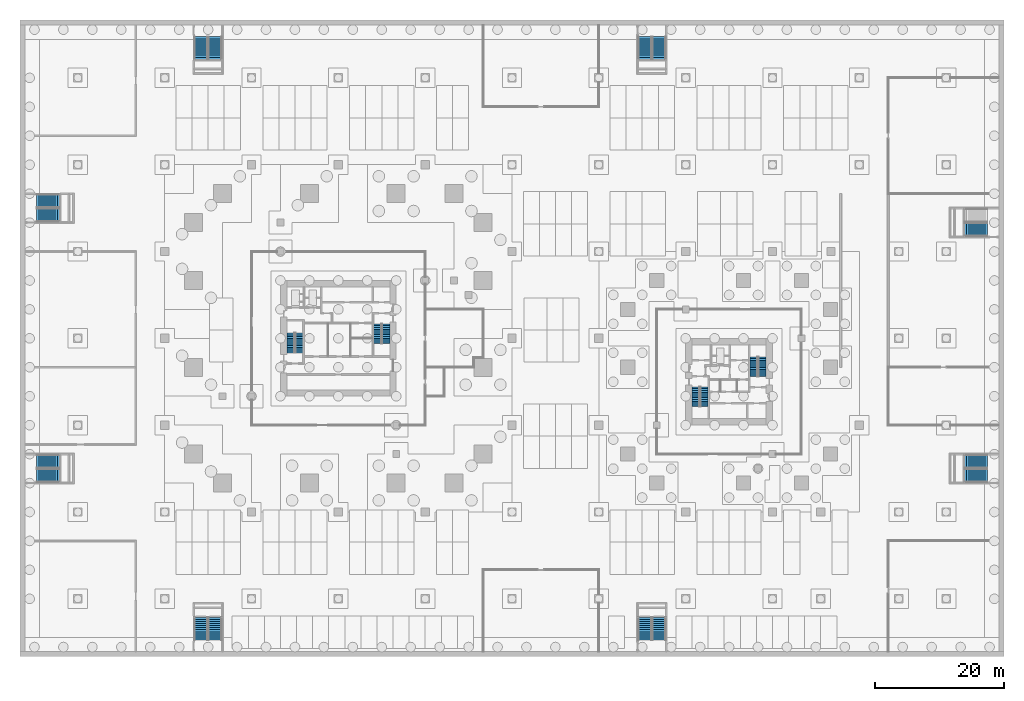
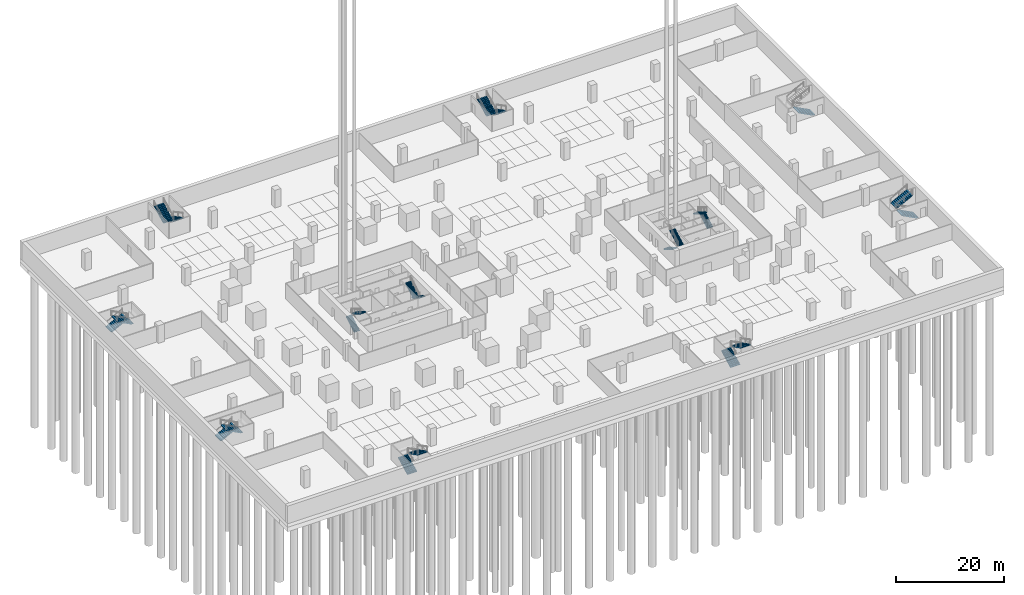
# One storey, part 17 of 40: 23 stair flights, 12 elements without a shape of their own.
"""IFC4 building model written with IfcOpenShell, lengths in metres."""

from ifc_helpers import new_model, si_unit, direction, frame, origin, place, context, subcontext, project, spatial, polyline, outline, extrude, material, type_object, element, aggregate, save


model = new_model("IFC4")

# Units and contexts
model_context = context("Model", 3, precision=1e-05, world=origin(), true_north=direction((0.0, 1.0)))
body_context = subcontext(model_context, "Body", "Model", "MODEL_VIEW")
ifc_project = project(units=[si_unit("LENGTHUNIT", "METRE"), si_unit("AREAUNIT", "SQUARE_METRE"), si_unit("VOLUMEUNIT", "CUBIC_METRE"), si_unit("PLANEANGLEUNIT", "RADIAN"), si_unit("MASSUNIT", "GRAM", prefix="KILO")], contexts=[model_context])

# Site, building, storey
site_placement = place(None, origin())
site = spatial("IfcSite", under=ifc_project, at=site_placement, CompositionType="ELEMENT")
building_placement = place(site_placement, origin())
building = spatial("IfcBuilding", under=site, at=building_placement, Name="Altepetl Exchange Towers", CompositionType="ELEMENT")
storey_placement = place(building_placement, frame((0.0, 0.0, -8.0)))
storey = spatial("IfcBuildingStorey", under=building, at=storey_placement, Name="B2 Basement parking", CompositionType="ELEMENT", Elevation=-8.0)

# Stair, stair flights
ifc_material_1 = material(Name="Concrete C40/50", Category="concrete")
stair_type_1 = type_object("IfcStairType", Name="Exit stair 1200 flights dogleg", PredefinedType="HALF_TURN_STAIR", material=ifc_material_1)
stair_1_placement = place(storey_placement, origin())
stair_1 = element("IfcStair", 1, at=stair_1_placement, inside=storey, type_object=stair_type_1, Name="Exit stair 1", PredefinedType="HALF_TURN_STAIR")
stair_flight_type_1 = type_object("IfcStairFlightType", Name="Stair flight 1200 wide", PredefinedType="STRAIGHT", material=ifc_material_1)
stair_flight_1_placement = place(storey_placement, frame((42.10009765625, 47.25, 0.0), z_axis=(0.0, 0.0, 1.0), x_axis=(0.0, 1.0, 0.0)))
stair_flight_1 = element("IfcStairFlight", 2, at=stair_flight_1_placement, type_object=stair_flight_type_1, Name="ST-A1a flight 1", NumberOfRisers=12, NumberOfTreads=11, PredefinedType="STRAIGHT", RiserHeight=0.166666667, TreadLength=0.28, context=body_context, shape_type="SweptSolid", body=[
    extrude(outline(polyline([(0.0, 0.0), (0.0, 0.166748046875), (0.280029296875, 0.166748046875), (0.280029296875, 0.333251953125), (0.56005859375, 0.333251953125), (0.56005859375, 0.5), (0.840087890625, 0.5), (0.840087890625, 0.666748046875), (1.1201171875, 0.666748046875), (1.1201171875, 0.833251953125), (1.39990234375, 0.833251953125), (1.39990234375, 1.0), (1.679931640625, 1.0), (1.679931640625, 1.166748046875), (1.9599609375, 1.166748046875), (1.9599609375, 1.333251953125), (2.239990234375, 1.333251953125), (2.239990234375, 1.5), (2.52001953125, 1.5), (2.52001953125, 1.666748046875), (2.800048828125, 1.666748046875), (2.800048828125, 1.833251953125), (3.080078125, 1.833251953125), (3.080078125, 2.0), (3.080078125, 1.658935546875), (0.29296875, 0.0), (0.0, 0.0)])), frame((0.0, 0.60009765625, 0.0), z_axis=(0.0, -1.0, 0.0), x_axis=(1.0, 0.0, 0.0)), (0.0, 0.0, 1.0), 1.199951171875),
])
stair_flight_2_placement = place(storey_placement, frame((43.39990234375, 50.330078125, 2.0), z_axis=(0.0, 0.0, 1.0), x_axis=(0.0, -1.0, 0.0)))
stair_flight_2 = element("IfcStairFlight", 3, at=stair_flight_2_placement, type_object=stair_flight_type_1, Name="ST-A1a flight 2", NumberOfRisers=12, NumberOfTreads=11, PredefinedType="STRAIGHT", RiserHeight=0.166666667, TreadLength=0.28, context=body_context, shape_type="SweptSolid", body=[
    extrude(outline(polyline([(0.0, 0.0), (0.0, 0.166748046875), (0.280029296875, 0.166748046875), (0.280029296875, 0.333251953125), (0.56005859375, 0.333251953125), (0.56005859375, 0.5), (0.840087890625, 0.5), (0.840087890625, 0.666748046875), (1.1201171875, 0.666748046875), (1.1201171875, 0.833251953125), (1.39990234375, 0.833251953125), (1.39990234375, 1.0), (1.679931640625, 1.0), (1.679931640625, 1.166748046875), (1.9599609375, 1.166748046875), (1.9599609375, 1.333251953125), (2.239990234375, 1.333251953125), (2.239990234375, 1.5), (2.52001953125, 1.5), (2.52001953125, 1.666748046875), (2.800048828125, 1.666748046875), (2.800048828125, 1.833251953125), (3.080078125, 1.833251953125), (3.080078125, 2.0), (3.080078125, 1.658935546875), (0.29296875, 0.0), (0.0, 0.0)])), frame((0.0, 0.60009765625, 0.0), z_axis=(0.0, -1.0, 0.0), x_axis=(1.0, 0.0, 0.0)), (0.0, 0.0, 1.0), 1.199951171875),
])
aggregate(stair_1, [stair_flight_1, stair_flight_2])

stair_2_placement = place(storey_placement, origin())
stair_2 = element("IfcStair", 4, at=stair_2_placement, inside=storey, type_object=stair_type_1, Name="Exit stair 2", PredefinedType="HALF_TURN_STAIR")
stair_flight_3_placement = place(storey_placement, frame((56.89990234375, 51.75, 0.0), z_axis=(0.0, 0.0, 1.0), x_axis=(0.0, -1.0, 0.0)))
stair_flight_3 = element("IfcStairFlight", 5, at=stair_flight_3_placement, type_object=stair_flight_type_1, Name="ST-A2a flight 1", NumberOfRisers=12, NumberOfTreads=11, PredefinedType="STRAIGHT", RiserHeight=0.166666667, TreadLength=0.28, context=body_context, shape_type="SweptSolid", body=[
    extrude(outline(polyline([(0.0, 0.0), (0.0, 0.166748046875), (0.280029296875, 0.166748046875), (0.280029296875, 0.333251953125), (0.56005859375, 0.333251953125), (0.56005859375, 0.5), (0.840087890625, 0.5), (0.840087890625, 0.666748046875), (1.1201171875, 0.666748046875), (1.1201171875, 0.833251953125), (1.39990234375, 0.833251953125), (1.39990234375, 1.0), (1.679931640625, 1.0), (1.679931640625, 1.166748046875), (1.9599609375, 1.166748046875), (1.9599609375, 1.333251953125), (2.239990234375, 1.333251953125), (2.239990234375, 1.5), (2.52001953125, 1.5), (2.52001953125, 1.666748046875), (2.800048828125, 1.666748046875), (2.800048828125, 1.833251953125), (3.080078125, 1.833251953125), (3.080078125, 2.0), (3.080078125, 1.658935546875), (0.29296875, 0.0), (0.0, 0.0)])), frame((0.0, 0.60009765625, 0.0), z_axis=(0.0, -1.0, 0.0), x_axis=(1.0, 0.0, 0.0)), (0.0, 0.0, 1.0), 1.199951171875),
])
stair_flight_4_placement = place(storey_placement, frame((55.60009765625, 48.669921875, 2.0), z_axis=(0.0, 0.0, 1.0), x_axis=(0.0, 1.0, 0.0)))
stair_flight_4 = element("IfcStairFlight", 6, at=stair_flight_4_placement, type_object=stair_flight_type_1, Name="ST-A2a flight 2", NumberOfRisers=12, NumberOfTreads=11, PredefinedType="STRAIGHT", RiserHeight=0.166666667, TreadLength=0.28, context=body_context, shape_type="SweptSolid", body=[
    extrude(outline(polyline([(0.0, 0.0), (0.0, 0.166748046875), (0.280029296875, 0.166748046875), (0.280029296875, 0.333251953125), (0.56005859375, 0.333251953125), (0.56005859375, 0.5), (0.840087890625, 0.5), (0.840087890625, 0.666748046875), (1.1201171875, 0.666748046875), (1.1201171875, 0.833251953125), (1.39990234375, 0.833251953125), (1.39990234375, 1.0), (1.679931640625, 1.0), (1.679931640625, 1.166748046875), (1.9599609375, 1.166748046875), (1.9599609375, 1.333251953125), (2.239990234375, 1.333251953125), (2.239990234375, 1.5), (2.52001953125, 1.5), (2.52001953125, 1.666748046875), (2.800048828125, 1.666748046875), (2.800048828125, 1.833251953125), (3.080078125, 1.833251953125), (3.080078125, 2.0), (3.080078125, 1.658935546875), (0.29296875, 0.0), (0.0, 0.0)])), frame((0.0, 0.60009765625, 0.0), z_axis=(0.0, -1.0, 0.0), x_axis=(1.0, 0.0, 0.0)), (0.0, 0.0, 1.0), 1.199951171875),
])
aggregate(stair_2, [stair_flight_3, stair_flight_4])

stair_3_placement = place(storey_placement, origin())
stair_3 = element("IfcStair", 7, at=stair_3_placement, inside=storey, type_object=stair_type_1, Name="Exit stair 1", PredefinedType="HALF_TURN_STAIR")
stair_flight_5_placement = place(storey_placement, frame((105.10009765625, 41.949951171875, 0.0), z_axis=(0.0, 0.0, 1.0), x_axis=(0.0, -1.0, 0.0)))
stair_flight_5 = element("IfcStairFlight", 8, at=stair_flight_5_placement, type_object=stair_flight_type_1, Name="ST-B1a flight 1", NumberOfRisers=12, NumberOfTreads=11, PredefinedType="STRAIGHT", RiserHeight=0.166666667, TreadLength=0.28, context=body_context, shape_type="SweptSolid", body=[
    extrude(outline(polyline([(0.0, 0.0), (0.0, 0.166748046875), (0.280029296875, 0.166748046875), (0.280029296875, 0.333251953125), (0.56005859375, 0.333251953125), (0.56005859375, 0.5), (0.840087890625, 0.5), (0.840087890625, 0.666748046875), (1.1201171875, 0.666748046875), (1.1201171875, 0.833251953125), (1.39990234375, 0.833251953125), (1.39990234375, 1.0), (1.679931640625, 1.0), (1.679931640625, 1.166748046875), (1.9599609375, 1.166748046875), (1.9599609375, 1.333251953125), (2.239990234375, 1.333251953125), (2.239990234375, 1.5), (2.52001953125, 1.5), (2.52001953125, 1.666748046875), (2.800048828125, 1.666748046875), (2.800048828125, 1.833251953125), (3.080078125, 1.833251953125), (3.080078125, 2.0), (3.080078125, 1.658935546875), (0.29296875, 0.0), (0.0, 0.0)])), frame((0.0, 0.60009765625, 0.0), z_axis=(0.0, -1.0, 0.0), x_axis=(1.0, 0.0, 0.0)), (0.0, 0.0, 1.0), 1.199951171875),
])
stair_flight_6_placement = place(storey_placement, frame((106.39990234375, 38.8701171875, 2.0), z_axis=(0.0, 0.0, 1.0), x_axis=(0.0, 1.0, 0.0)))
stair_flight_6 = element("IfcStairFlight", 9, at=stair_flight_6_placement, type_object=stair_flight_type_1, Name="ST-B1a flight 2", NumberOfRisers=12, NumberOfTreads=11, PredefinedType="STRAIGHT", RiserHeight=0.166666667, TreadLength=0.28, context=body_context, shape_type="SweptSolid", body=[
    extrude(outline(polyline([(0.0, 0.0), (0.0, 0.166748046875), (0.280029296875, 0.166748046875), (0.280029296875, 0.333251953125), (0.56005859375, 0.333251953125), (0.56005859375, 0.5), (0.840087890625, 0.5), (0.840087890625, 0.666748046875), (1.1201171875, 0.666748046875), (1.1201171875, 0.833251953125), (1.39990234375, 0.833251953125), (1.39990234375, 1.0), (1.679931640625, 1.0), (1.679931640625, 1.166748046875), (1.9599609375, 1.166748046875), (1.9599609375, 1.333251953125), (2.239990234375, 1.333251953125), (2.239990234375, 1.5), (2.52001953125, 1.5), (2.52001953125, 1.666748046875), (2.800048828125, 1.666748046875), (2.800048828125, 1.833251953125), (3.080078125, 1.833251953125), (3.080078125, 2.0), (3.080078125, 1.658935546875), (0.29296875, 0.0), (0.0, 0.0)])), frame((0.0, 0.60009765625, 0.0), z_axis=(0.0, -1.0, 0.0), x_axis=(1.0, 0.0, 0.0)), (0.0, 0.0, 1.0), 1.199951171875),
])
aggregate(stair_3, [stair_flight_5, stair_flight_6])

stair_4_placement = place(storey_placement, origin())
stair_4 = element("IfcStair", 10, at=stair_4_placement, inside=storey, type_object=stair_type_1, Name="Exit stair 2", PredefinedType="HALF_TURN_STAIR")
stair_flight_7_placement = place(storey_placement, frame((115.39990234375, 43.550048828125, 0.0), z_axis=(0.0, 0.0, 1.0), x_axis=(0.0, 1.0, 0.0)))
stair_flight_7 = element("IfcStairFlight", 11, at=stair_flight_7_placement, type_object=stair_flight_type_1, Name="ST-B2a flight 1", NumberOfRisers=12, NumberOfTreads=11, PredefinedType="STRAIGHT", RiserHeight=0.166666667, TreadLength=0.28, context=body_context, shape_type="SweptSolid", body=[
    extrude(outline(polyline([(0.0, 0.0), (0.0, 0.166748046875), (0.280029296875, 0.166748046875), (0.280029296875, 0.333251953125), (0.56005859375, 0.333251953125), (0.56005859375, 0.5), (0.840087890625, 0.5), (0.840087890625, 0.666748046875), (1.1201171875, 0.666748046875), (1.1201171875, 0.833251953125), (1.39990234375, 0.833251953125), (1.39990234375, 1.0), (1.679931640625, 1.0), (1.679931640625, 1.166748046875), (1.9599609375, 1.166748046875), (1.9599609375, 1.333251953125), (2.239990234375, 1.333251953125), (2.239990234375, 1.5), (2.52001953125, 1.5), (2.52001953125, 1.666748046875), (2.800048828125, 1.666748046875), (2.800048828125, 1.833251953125), (3.080078125, 1.833251953125), (3.080078125, 2.0), (3.080078125, 1.658935546875), (0.29296875, 0.0), (0.0, 0.0)])), frame((0.0, 0.60009765625, 0.0), z_axis=(0.0, -1.0, 0.0), x_axis=(1.0, 0.0, 0.0)), (0.0, 0.0, 1.0), 1.199951171875),
])
stair_flight_8_placement = place(storey_placement, frame((114.10009765625, 46.6298828125, 2.0), z_axis=(0.0, 0.0, 1.0), x_axis=(0.0, -1.0, 0.0)))
stair_flight_8 = element("IfcStairFlight", 12, at=stair_flight_8_placement, type_object=stair_flight_type_1, Name="ST-B2a flight 2", NumberOfRisers=12, NumberOfTreads=11, PredefinedType="STRAIGHT", RiserHeight=0.166666667, TreadLength=0.28, context=body_context, shape_type="SweptSolid", body=[
    extrude(outline(polyline([(0.0, 0.0), (0.0, 0.166748046875), (0.280029296875, 0.166748046875), (0.280029296875, 0.333251953125), (0.56005859375, 0.333251953125), (0.56005859375, 0.5), (0.840087890625, 0.5), (0.840087890625, 0.666748046875), (1.1201171875, 0.666748046875), (1.1201171875, 0.833251953125), (1.39990234375, 0.833251953125), (1.39990234375, 1.0), (1.679931640625, 1.0), (1.679931640625, 1.166748046875), (1.9599609375, 1.166748046875), (1.9599609375, 1.333251953125), (2.239990234375, 1.333251953125), (2.239990234375, 1.5), (2.52001953125, 1.5), (2.52001953125, 1.666748046875), (2.800048828125, 1.666748046875), (2.800048828125, 1.833251953125), (3.080078125, 1.833251953125), (3.080078125, 2.0), (3.080078125, 1.658935546875), (0.29296875, 0.0), (0.0, 0.0)])), frame((0.0, 0.60009765625, 0.0), z_axis=(0.0, -1.0, 0.0), x_axis=(1.0, 0.0, 0.0)), (0.0, 0.0, 1.0), 1.199951171875),
])
aggregate(stair_4, [stair_flight_7, stair_flight_8])

ifc_material_2 = material(Name="Reinforced concrete C35/45", Category="concrete")
stair_type_2 = type_object("IfcStairType", Name="Exit half-turn stair 2025", PredefinedType="HALF_TURN_STAIR", material=ifc_material_2)
stair_5_placement = place(storey_placement, origin())
stair_5 = element("IfcStair", 13, at=stair_5_placement, inside=storey, type_object=stair_type_2, Name="ST-P1 stair", PredefinedType="HALF_TURN_STAIR")
stair_flight_type_2 = type_object("IfcStairFlightType", Name="Stair flight 2025", PredefinedType="STRAIGHT", material=ifc_material_2)
stair_flight_9_placement = place(storey_placement, frame((28.16259765625, 2.60009765625, 0.0), z_axis=(0.0, 0.0, 1.0), x_axis=(0.0, 1.0, 0.0)))
stair_flight_9 = element("IfcStairFlight", 14, at=stair_flight_9_placement, type_object=stair_flight_type_2, Name="ST-P1 flight 1", NumberOfRisers=12, NumberOfTreads=11, PredefinedType="STRAIGHT", RiserHeight=0.166667, TreadLength=0.32, context=body_context, shape_type="SweptSolid", body=[
    extrude(outline(polyline([(0.0, 0.0), (0.0, 0.166748046875), (0.320068359375, 0.166748046875), (0.320068359375, 0.333251953125), (0.639892578125, 0.333251953125), (0.639892578125, 0.5), (0.9599609375, 0.5), (0.9599609375, 0.666748046875), (1.280029296875, 0.666748046875), (1.280029296875, 0.833251953125), (1.60009765625, 0.833251953125), (1.60009765625, 1.0), (1.919921875, 1.0), (1.919921875, 1.166748046875), (2.239990234375, 1.166748046875), (2.239990234375, 1.333251953125), (2.56005859375, 1.333251953125), (2.56005859375, 1.5), (2.8798828125, 1.5), (2.8798828125, 1.666748046875), (3.199951171875, 1.666748046875), (3.199951171875, 1.833251953125), (3.52001953125, 1.833251953125), (3.52001953125, 2.0), (3.52001953125, 1.60791015625), (0.432861328125, 0.0), (0.0, 0.0)])), frame((0.0, 1.012451171875, 0.0), z_axis=(0.0, -1.0, 0.0), x_axis=(1.0, 0.0, 0.0)), (0.0, 0.0, 1.0), 2.02490234375),
])
stair_flight_10_placement = place(storey_placement, frame((30.33740234375, 6.1201171875, 2.0), z_axis=(0.0, 0.0, 1.0), x_axis=(0.0, -1.0, 0.0)))
stair_flight_10 = element("IfcStairFlight", 15, at=stair_flight_10_placement, type_object=stair_flight_type_2, Name="ST-P1 flight 2", NumberOfRisers=12, NumberOfTreads=11, PredefinedType="STRAIGHT", RiserHeight=0.166667, TreadLength=0.32, context=body_context, shape_type="SweptSolid", body=[
    extrude(outline(polyline([(0.0, 0.0), (0.0, 0.166748046875), (0.320068359375, 0.166748046875), (0.320068359375, 0.333251953125), (0.639892578125, 0.333251953125), (0.639892578125, 0.5), (0.9599609375, 0.5), (0.9599609375, 0.666748046875), (1.280029296875, 0.666748046875), (1.280029296875, 0.833251953125), (1.60009765625, 0.833251953125), (1.60009765625, 1.0), (1.919921875, 1.0), (1.919921875, 1.166748046875), (2.239990234375, 1.166748046875), (2.239990234375, 1.333251953125), (2.56005859375, 1.333251953125), (2.56005859375, 1.5), (2.8798828125, 1.5), (2.8798828125, 1.666748046875), (3.199951171875, 1.666748046875), (3.199951171875, 1.833251953125), (3.52001953125, 1.833251953125), (3.52001953125, 2.0), (3.52001953125, 1.60791015625), (0.432861328125, 0.0), (0.0, 0.0)])), frame((0.0, 1.012451171875, 0.0), z_axis=(0.0, -1.0, 0.0), x_axis=(1.0, 0.0, 0.0)), (0.0, 0.0, 1.0), 2.02490234375),
])
aggregate(stair_5, [stair_flight_9, stair_flight_10])

stair_6_placement = place(storey_placement, origin())
stair_6 = element("IfcStair", 16, at=stair_6_placement, inside=storey, type_object=stair_type_2, Name="ST-P2 stair", PredefinedType="HALF_TURN_STAIR")
stair_flight_11_placement = place(storey_placement, frame((97.16259765625, 2.60009765625, 0.0), z_axis=(0.0, 0.0, 1.0), x_axis=(0.0, 1.0, 0.0)))
stair_flight_11 = element("IfcStairFlight", 17, at=stair_flight_11_placement, type_object=stair_flight_type_2, Name="ST-P2 flight 1", NumberOfRisers=12, NumberOfTreads=11, PredefinedType="STRAIGHT", RiserHeight=0.166667, TreadLength=0.32, context=body_context, shape_type="SweptSolid", body=[
    extrude(outline(polyline([(0.0, 0.0), (0.0, 0.166748046875), (0.320068359375, 0.166748046875), (0.320068359375, 0.333251953125), (0.639892578125, 0.333251953125), (0.639892578125, 0.5), (0.9599609375, 0.5), (0.9599609375, 0.666748046875), (1.280029296875, 0.666748046875), (1.280029296875, 0.833251953125), (1.60009765625, 0.833251953125), (1.60009765625, 1.0), (1.919921875, 1.0), (1.919921875, 1.166748046875), (2.239990234375, 1.166748046875), (2.239990234375, 1.333251953125), (2.56005859375, 1.333251953125), (2.56005859375, 1.5), (2.8798828125, 1.5), (2.8798828125, 1.666748046875), (3.199951171875, 1.666748046875), (3.199951171875, 1.833251953125), (3.52001953125, 1.833251953125), (3.52001953125, 2.0), (3.52001953125, 1.60791015625), (0.432861328125, 0.0), (0.0, 0.0)])), frame((0.0, 1.012451171875, 0.0), z_axis=(0.0, -1.0, 0.0), x_axis=(1.0, 0.0, 0.0)), (0.0, 0.0, 1.0), 2.02490234375),
])
stair_flight_12_placement = place(storey_placement, frame((99.33740234375, 6.1201171875, 2.0), z_axis=(0.0, 0.0, 1.0), x_axis=(0.0, -1.0, 0.0)))
stair_flight_12 = element("IfcStairFlight", 18, at=stair_flight_12_placement, type_object=stair_flight_type_2, Name="ST-P2 flight 2", NumberOfRisers=12, NumberOfTreads=11, PredefinedType="STRAIGHT", RiserHeight=0.166667, TreadLength=0.32, context=body_context, shape_type="SweptSolid", body=[
    extrude(outline(polyline([(0.0, 0.0), (0.0, 0.166748046875), (0.320068359375, 0.166748046875), (0.320068359375, 0.333251953125), (0.639892578125, 0.333251953125), (0.639892578125, 0.5), (0.9599609375, 0.5), (0.9599609375, 0.666748046875), (1.280029296875, 0.666748046875), (1.280029296875, 0.833251953125), (1.60009765625, 0.833251953125), (1.60009765625, 1.0), (1.919921875, 1.0), (1.919921875, 1.166748046875), (2.239990234375, 1.166748046875), (2.239990234375, 1.333251953125), (2.56005859375, 1.333251953125), (2.56005859375, 1.5), (2.8798828125, 1.5), (2.8798828125, 1.666748046875), (3.199951171875, 1.666748046875), (3.199951171875, 1.833251953125), (3.52001953125, 1.833251953125), (3.52001953125, 2.0), (3.52001953125, 1.60791015625), (0.432861328125, 0.0), (0.0, 0.0)])), frame((0.0, 1.012451171875, 0.0), z_axis=(0.0, -1.0, 0.0), x_axis=(1.0, 0.0, 0.0)), (0.0, 0.0, 1.0), 2.02490234375),
])
aggregate(stair_6, [stair_flight_11, stair_flight_12])

stair_7_placement = place(storey_placement, origin())
stair_7 = element("IfcStair", 19, at=stair_7_placement, inside=storey, type_object=stair_type_2, Name="ST-P3 stair", PredefinedType="HALF_TURN_STAIR")
stair_flight_13_placement = place(storey_placement, frame((2.60009765625, 30.33740234375, 0.0)))
stair_flight_13 = element("IfcStairFlight", 20, at=stair_flight_13_placement, type_object=stair_flight_type_2, Name="ST-P3 flight 1", NumberOfRisers=12, NumberOfTreads=11, PredefinedType="STRAIGHT", RiserHeight=0.166667, TreadLength=0.32, context=body_context, shape_type="SweptSolid", body=[
    extrude(outline(polyline([(0.0, 0.0), (0.0, 0.166748046875), (0.320068359375, 0.166748046875), (0.320068359375, 0.333251953125), (0.639892578125, 0.333251953125), (0.639892578125, 0.5), (0.9599609375, 0.5), (0.9599609375, 0.666748046875), (1.280029296875, 0.666748046875), (1.280029296875, 0.833251953125), (1.60009765625, 0.833251953125), (1.60009765625, 1.0), (1.919921875, 1.0), (1.919921875, 1.166748046875), (2.239990234375, 1.166748046875), (2.239990234375, 1.333251953125), (2.56005859375, 1.333251953125), (2.56005859375, 1.5), (2.8798828125, 1.5), (2.8798828125, 1.666748046875), (3.199951171875, 1.666748046875), (3.199951171875, 1.833251953125), (3.52001953125, 1.833251953125), (3.52001953125, 2.0), (3.52001953125, 1.60791015625), (0.432861328125, 0.0), (0.0, 0.0)])), frame((0.0, 1.012451171875, 0.0), z_axis=(0.0, -1.0, 0.0), x_axis=(1.0, 0.0, 0.0)), (0.0, 0.0, 1.0), 2.02490234375),
])
stair_flight_14_placement = place(storey_placement, frame((6.1201171875, 28.16259765625, 2.0), z_axis=(0.0, 0.0, 1.0), x_axis=(-1.0, 0.0, 0.0)))
stair_flight_14 = element("IfcStairFlight", 21, at=stair_flight_14_placement, type_object=stair_flight_type_2, Name="ST-P3 flight 2", NumberOfRisers=12, NumberOfTreads=11, PredefinedType="STRAIGHT", RiserHeight=0.166667, TreadLength=0.32, context=body_context, shape_type="SweptSolid", body=[
    extrude(outline(polyline([(0.0, 0.0), (0.0, 0.166748046875), (0.320068359375, 0.166748046875), (0.320068359375, 0.333251953125), (0.639892578125, 0.333251953125), (0.639892578125, 0.5), (0.9599609375, 0.5), (0.9599609375, 0.666748046875), (1.280029296875, 0.666748046875), (1.280029296875, 0.833251953125), (1.60009765625, 0.833251953125), (1.60009765625, 1.0), (1.919921875, 1.0), (1.919921875, 1.166748046875), (2.239990234375, 1.166748046875), (2.239990234375, 1.333251953125), (2.56005859375, 1.333251953125), (2.56005859375, 1.5), (2.8798828125, 1.5), (2.8798828125, 1.666748046875), (3.199951171875, 1.666748046875), (3.199951171875, 1.833251953125), (3.52001953125, 1.833251953125), (3.52001953125, 2.0), (3.52001953125, 1.60791015625), (0.432861328125, 0.0), (0.0, 0.0)])), frame((0.0, 1.012451171875, 0.0), z_axis=(0.0, -1.0, 0.0), x_axis=(1.0, 0.0, 0.0)), (0.0, 0.0, 1.0), 2.02490234375),
])
aggregate(stair_7, [stair_flight_13, stair_flight_14])

stair_8_placement = place(storey_placement, origin())
stair_8 = element("IfcStair", 22, at=stair_8_placement, inside=storey, type_object=stair_type_2, Name="ST-P4 stair", PredefinedType="HALF_TURN_STAIR")
stair_flight_15_placement = place(storey_placement, frame((2.60009765625, 70.83740234375, 0.0)))
stair_flight_15 = element("IfcStairFlight", 23, at=stair_flight_15_placement, type_object=stair_flight_type_2, Name="ST-P4 flight 1", NumberOfRisers=12, NumberOfTreads=11, PredefinedType="STRAIGHT", RiserHeight=0.166667, TreadLength=0.32, context=body_context, shape_type="SweptSolid", body=[
    extrude(outline(polyline([(0.0, 0.0), (0.0, 0.166748046875), (0.320068359375, 0.166748046875), (0.320068359375, 0.333251953125), (0.639892578125, 0.333251953125), (0.639892578125, 0.5), (0.9599609375, 0.5), (0.9599609375, 0.666748046875), (1.280029296875, 0.666748046875), (1.280029296875, 0.833251953125), (1.60009765625, 0.833251953125), (1.60009765625, 1.0), (1.919921875, 1.0), (1.919921875, 1.166748046875), (2.239990234375, 1.166748046875), (2.239990234375, 1.333251953125), (2.56005859375, 1.333251953125), (2.56005859375, 1.5), (2.8798828125, 1.5), (2.8798828125, 1.666748046875), (3.199951171875, 1.666748046875), (3.199951171875, 1.833251953125), (3.52001953125, 1.833251953125), (3.52001953125, 2.0), (3.52001953125, 1.60791015625), (0.432861328125, 0.0), (0.0, 0.0)])), frame((0.0, 1.012451171875, 0.0), z_axis=(0.0, -1.0, 0.0), x_axis=(1.0, 0.0, 0.0)), (0.0, 0.0, 1.0), 2.02490234375),
])
stair_flight_16_placement = place(storey_placement, frame((6.1201171875, 68.66259765625, 2.0), z_axis=(0.0, 0.0, 1.0), x_axis=(-1.0, 0.0, 0.0)))
stair_flight_16 = element("IfcStairFlight", 24, at=stair_flight_16_placement, type_object=stair_flight_type_2, Name="ST-P4 flight 2", NumberOfRisers=12, NumberOfTreads=11, PredefinedType="STRAIGHT", RiserHeight=0.166667, TreadLength=0.32, context=body_context, shape_type="SweptSolid", body=[
    extrude(outline(polyline([(0.0, 0.0), (0.0, 0.166748046875), (0.320068359375, 0.166748046875), (0.320068359375, 0.333251953125), (0.639892578125, 0.333251953125), (0.639892578125, 0.5), (0.9599609375, 0.5), (0.9599609375, 0.666748046875), (1.280029296875, 0.666748046875), (1.280029296875, 0.833251953125), (1.60009765625, 0.833251953125), (1.60009765625, 1.0), (1.919921875, 1.0), (1.919921875, 1.166748046875), (2.239990234375, 1.166748046875), (2.239990234375, 1.333251953125), (2.56005859375, 1.333251953125), (2.56005859375, 1.5), (2.8798828125, 1.5), (2.8798828125, 1.666748046875), (3.199951171875, 1.666748046875), (3.199951171875, 1.833251953125), (3.52001953125, 1.833251953125), (3.52001953125, 2.0), (3.52001953125, 1.60791015625), (0.432861328125, 0.0), (0.0, 0.0)])), frame((0.0, 1.012451171875, 0.0), z_axis=(0.0, -1.0, 0.0), x_axis=(1.0, 0.0, 0.0)), (0.0, 0.0, 1.0), 2.02490234375),
])
aggregate(stair_8, [stair_flight_15, stair_flight_16])

stair_9_placement = place(storey_placement, origin())
stair_9 = element("IfcStair", 25, at=stair_9_placement, inside=storey, type_object=stair_type_2, Name="ST-P5 stair", PredefinedType="HALF_TURN_STAIR")
stair_flight_17_placement = place(storey_placement, frame((30.33740234375, 96.39990234375, 0.0), z_axis=(0.0, 0.0, 1.0), x_axis=(0.0, -1.0, 0.0)))
stair_flight_17 = element("IfcStairFlight", 26, at=stair_flight_17_placement, type_object=stair_flight_type_2, Name="ST-P5 flight 1", NumberOfRisers=12, NumberOfTreads=11, PredefinedType="STRAIGHT", RiserHeight=0.166667, TreadLength=0.32, context=body_context, shape_type="SweptSolid", body=[
    extrude(outline(polyline([(0.0, 0.0), (0.0, 0.166748046875), (0.320068359375, 0.166748046875), (0.320068359375, 0.333251953125), (0.639892578125, 0.333251953125), (0.639892578125, 0.5), (0.9599609375, 0.5), (0.9599609375, 0.666748046875), (1.280029296875, 0.666748046875), (1.280029296875, 0.833251953125), (1.60009765625, 0.833251953125), (1.60009765625, 1.0), (1.919921875, 1.0), (1.919921875, 1.166748046875), (2.239990234375, 1.166748046875), (2.239990234375, 1.333251953125), (2.56005859375, 1.333251953125), (2.56005859375, 1.5), (2.8798828125, 1.5), (2.8798828125, 1.666748046875), (3.199951171875, 1.666748046875), (3.199951171875, 1.833251953125), (3.52001953125, 1.833251953125), (3.52001953125, 2.0), (3.52001953125, 1.60791015625), (0.432861328125, 0.0), (0.0, 0.0)])), frame((0.0, 1.012451171875, 0.0), z_axis=(0.0, -1.0, 0.0), x_axis=(1.0, 0.0, 0.0)), (0.0, 0.0, 1.0), 2.02490234375),
])
stair_flight_18_placement = place(storey_placement, frame((28.16259765625, 92.8798828125, 2.0), z_axis=(0.0, 0.0, 1.0), x_axis=(0.0, 1.0, 0.0)))
stair_flight_18 = element("IfcStairFlight", 27, at=stair_flight_18_placement, type_object=stair_flight_type_2, Name="ST-P5 flight 2", NumberOfRisers=12, NumberOfTreads=11, PredefinedType="STRAIGHT", RiserHeight=0.166667, TreadLength=0.32, context=body_context, shape_type="SweptSolid", body=[
    extrude(outline(polyline([(0.0, 0.0), (0.0, 0.166748046875), (0.320068359375, 0.166748046875), (0.320068359375, 0.333251953125), (0.639892578125, 0.333251953125), (0.639892578125, 0.5), (0.9599609375, 0.5), (0.9599609375, 0.666748046875), (1.280029296875, 0.666748046875), (1.280029296875, 0.833251953125), (1.60009765625, 0.833251953125), (1.60009765625, 1.0), (1.919921875, 1.0), (1.919921875, 1.166748046875), (2.239990234375, 1.166748046875), (2.239990234375, 1.333251953125), (2.56005859375, 1.333251953125), (2.56005859375, 1.5), (2.8798828125, 1.5), (2.8798828125, 1.666748046875), (3.199951171875, 1.666748046875), (3.199951171875, 1.833251953125), (3.52001953125, 1.833251953125), (3.52001953125, 2.0), (3.52001953125, 1.60791015625), (0.432861328125, 0.0), (0.0, 0.0)])), frame((0.0, 1.012451171875, 0.0), z_axis=(0.0, -1.0, 0.0), x_axis=(1.0, 0.0, 0.0)), (0.0, 0.0, 1.0), 2.02490234375),
])
aggregate(stair_9, [stair_flight_17, stair_flight_18])

stair_10_placement = place(storey_placement, origin())
stair_10 = element("IfcStair", 28, at=stair_10_placement, inside=storey, type_object=stair_type_2, Name="ST-P6 stair", PredefinedType="HALF_TURN_STAIR")
stair_flight_19_placement = place(storey_placement, frame((99.33740234375, 96.39990234375, 0.0), z_axis=(0.0, 0.0, 1.0), x_axis=(0.0, -1.0, 0.0)))
stair_flight_19 = element("IfcStairFlight", 29, at=stair_flight_19_placement, type_object=stair_flight_type_2, Name="ST-P6 flight 1", NumberOfRisers=12, NumberOfTreads=11, PredefinedType="STRAIGHT", RiserHeight=0.166667, TreadLength=0.32, context=body_context, shape_type="SweptSolid", body=[
    extrude(outline(polyline([(0.0, 0.0), (0.0, 0.166748046875), (0.320068359375, 0.166748046875), (0.320068359375, 0.333251953125), (0.639892578125, 0.333251953125), (0.639892578125, 0.5), (0.9599609375, 0.5), (0.9599609375, 0.666748046875), (1.280029296875, 0.666748046875), (1.280029296875, 0.833251953125), (1.60009765625, 0.833251953125), (1.60009765625, 1.0), (1.919921875, 1.0), (1.919921875, 1.166748046875), (2.239990234375, 1.166748046875), (2.239990234375, 1.333251953125), (2.56005859375, 1.333251953125), (2.56005859375, 1.5), (2.8798828125, 1.5), (2.8798828125, 1.666748046875), (3.199951171875, 1.666748046875), (3.199951171875, 1.833251953125), (3.52001953125, 1.833251953125), (3.52001953125, 2.0), (3.52001953125, 1.60791015625), (0.432861328125, 0.0), (0.0, 0.0)])), frame((0.0, 1.012451171875, 0.0), z_axis=(0.0, -1.0, 0.0), x_axis=(1.0, 0.0, 0.0)), (0.0, 0.0, 1.0), 2.02490234375),
])
stair_flight_20_placement = place(storey_placement, frame((97.16259765625, 92.8798828125, 2.0), z_axis=(0.0, 0.0, 1.0), x_axis=(0.0, 1.0, 0.0)))
stair_flight_20 = element("IfcStairFlight", 30, at=stair_flight_20_placement, type_object=stair_flight_type_2, Name="ST-P6 flight 2", NumberOfRisers=12, NumberOfTreads=11, PredefinedType="STRAIGHT", RiserHeight=0.166667, TreadLength=0.32, context=body_context, shape_type="SweptSolid", body=[
    extrude(outline(polyline([(0.0, 0.0), (0.0, 0.166748046875), (0.320068359375, 0.166748046875), (0.320068359375, 0.333251953125), (0.639892578125, 0.333251953125), (0.639892578125, 0.5), (0.9599609375, 0.5), (0.9599609375, 0.666748046875), (1.280029296875, 0.666748046875), (1.280029296875, 0.833251953125), (1.60009765625, 0.833251953125), (1.60009765625, 1.0), (1.919921875, 1.0), (1.919921875, 1.166748046875), (2.239990234375, 1.166748046875), (2.239990234375, 1.333251953125), (2.56005859375, 1.333251953125), (2.56005859375, 1.5), (2.8798828125, 1.5), (2.8798828125, 1.666748046875), (3.199951171875, 1.666748046875), (3.199951171875, 1.833251953125), (3.52001953125, 1.833251953125), (3.52001953125, 2.0), (3.52001953125, 1.60791015625), (0.432861328125, 0.0), (0.0, 0.0)])), frame((0.0, 1.012451171875, 0.0), z_axis=(0.0, -1.0, 0.0), x_axis=(1.0, 0.0, 0.0)), (0.0, 0.0, 1.0), 2.02490234375),
])
aggregate(stair_10, [stair_flight_19, stair_flight_20])

stair_11_placement = place(storey_placement, origin())
stair_11 = element("IfcStair", 31, at=stair_11_placement, inside=storey, type_object=stair_type_2, Name="ST-P7 stair", PredefinedType="HALF_TURN_STAIR")
stair_flight_21_placement = place(storey_placement, frame((150.39990234375, 28.16259765625, 0.0), z_axis=(0.0, 0.0, 1.0), x_axis=(-1.0, 0.0, 0.0)))
stair_flight_21 = element("IfcStairFlight", 32, at=stair_flight_21_placement, type_object=stair_flight_type_2, Name="ST-P7 flight 1", NumberOfRisers=12, NumberOfTreads=11, PredefinedType="STRAIGHT", RiserHeight=0.166667, TreadLength=0.32, context=body_context, shape_type="SweptSolid", body=[
    extrude(outline(polyline([(0.0, 0.0), (0.0, 0.166748046875), (0.320068359375, 0.166748046875), (0.320068359375, 0.333251953125), (0.639892578125, 0.333251953125), (0.639892578125, 0.5), (0.9599609375, 0.5), (0.9599609375, 0.666748046875), (1.280029296875, 0.666748046875), (1.280029296875, 0.833251953125), (1.60009765625, 0.833251953125), (1.60009765625, 1.0), (1.919921875, 1.0), (1.919921875, 1.166748046875), (2.239990234375, 1.166748046875), (2.239990234375, 1.333251953125), (2.56005859375, 1.333251953125), (2.56005859375, 1.5), (2.8798828125, 1.5), (2.8798828125, 1.666748046875), (3.199951171875, 1.666748046875), (3.199951171875, 1.833251953125), (3.52001953125, 1.833251953125), (3.52001953125, 2.0), (3.52001953125, 1.60791015625), (0.432861328125, 0.0), (0.0, 0.0)])), frame((0.0, 1.012451171875, 0.0), z_axis=(0.0, -1.0, 0.0), x_axis=(1.0, 0.0, 0.0)), (0.0, 0.0, 1.0), 2.02490234375),
])
stair_flight_22_placement = place(storey_placement, frame((146.8798828125, 30.33740234375, 2.0)))
stair_flight_22 = element("IfcStairFlight", 33, at=stair_flight_22_placement, type_object=stair_flight_type_2, Name="ST-P7 flight 2", NumberOfRisers=12, NumberOfTreads=11, PredefinedType="STRAIGHT", RiserHeight=0.166667, TreadLength=0.32, context=body_context, shape_type="SweptSolid", body=[
    extrude(outline(polyline([(0.0, 0.0), (0.0, 0.166748046875), (0.320068359375, 0.166748046875), (0.320068359375, 0.333251953125), (0.639892578125, 0.333251953125), (0.639892578125, 0.5), (0.9599609375, 0.5), (0.9599609375, 0.666748046875), (1.280029296875, 0.666748046875), (1.280029296875, 0.833251953125), (1.60009765625, 0.833251953125), (1.60009765625, 1.0), (1.919921875, 1.0), (1.919921875, 1.166748046875), (2.239990234375, 1.166748046875), (2.239990234375, 1.333251953125), (2.56005859375, 1.333251953125), (2.56005859375, 1.5), (2.8798828125, 1.5), (2.8798828125, 1.666748046875), (3.199951171875, 1.666748046875), (3.199951171875, 1.833251953125), (3.52001953125, 1.833251953125), (3.52001953125, 2.0), (3.52001953125, 1.60791015625), (0.432861328125, 0.0), (0.0, 0.0)])), frame((0.0, 1.012451171875, 0.0), z_axis=(0.0, -1.0, 0.0), x_axis=(1.0, 0.0, 0.0)), (0.0, 0.0, 1.0), 2.02490234375),
])
aggregate(stair_11, [stair_flight_21, stair_flight_22])

# Stair, stair flight
stair_12_placement = place(storey_placement, origin())
stair_12 = element("IfcStair", 34, at=stair_12_placement, inside=storey, type_object=stair_type_2, Name="ST-P8 stair", PredefinedType="HALF_TURN_STAIR")
stair_flight_23_placement = place(storey_placement, frame((150.39990234375, 66.41259765625, 0.0), z_axis=(0.0, 0.0, 1.0), x_axis=(-1.0, 0.0, 0.0)))
stair_flight_23 = element("IfcStairFlight", 35, at=stair_flight_23_placement, type_object=stair_flight_type_2, Name="ST-P8 flight 1", NumberOfRisers=12, NumberOfTreads=11, PredefinedType="STRAIGHT", RiserHeight=0.166667, TreadLength=0.32, context=body_context, shape_type="SweptSolid", body=[
    extrude(outline(polyline([(0.0, 0.0), (0.0, 0.166748046875), (0.320068359375, 0.166748046875), (0.320068359375, 0.333251953125), (0.639892578125, 0.333251953125), (0.639892578125, 0.5), (0.9599609375, 0.5), (0.9599609375, 0.666748046875), (1.280029296875, 0.666748046875), (1.280029296875, 0.833251953125), (1.60009765625, 0.833251953125), (1.60009765625, 1.0), (1.919921875, 1.0), (1.919921875, 1.166748046875), (2.239990234375, 1.166748046875), (2.239990234375, 1.333251953125), (2.56005859375, 1.333251953125), (2.56005859375, 1.5), (2.8798828125, 1.5), (2.8798828125, 1.666748046875), (3.199951171875, 1.666748046875), (3.199951171875, 1.833251953125), (3.52001953125, 1.833251953125), (3.52001953125, 2.0), (3.52001953125, 1.60791015625), (0.432861328125, 0.0), (0.0, 0.0)])), frame((0.0, 1.012451171875, 0.0), z_axis=(0.0, -1.0, 0.0), x_axis=(1.0, 0.0, 0.0)), (0.0, 0.0, 1.0), 2.02490234375),
])
aggregate(stair_12, [stair_flight_23])

save(model, "model.ifc")
